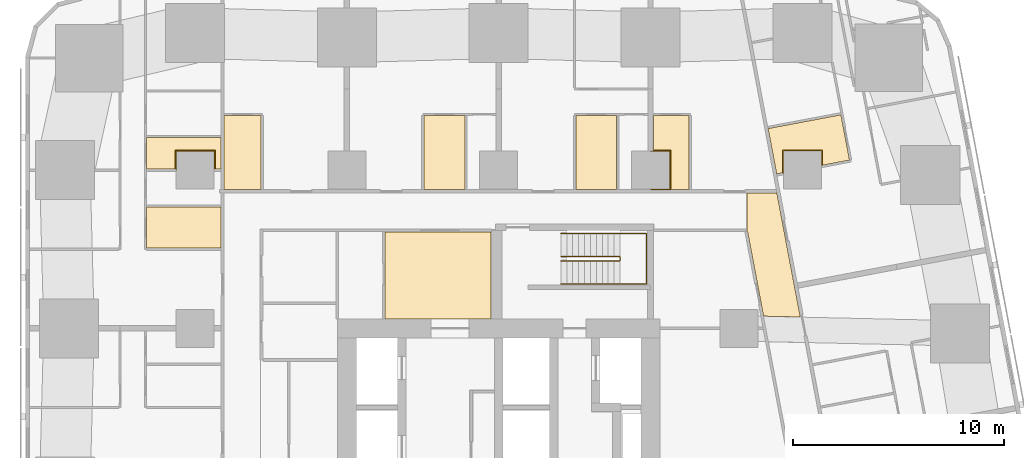
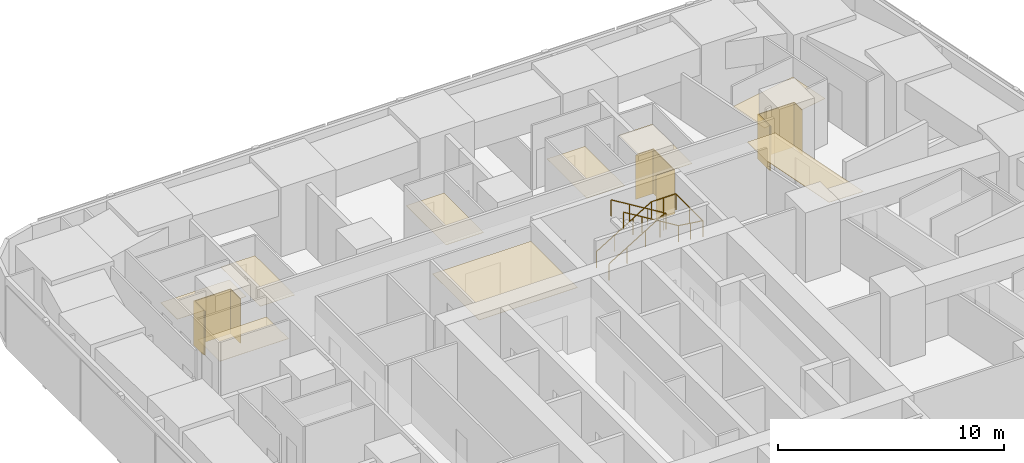
# One storey, part 15 of 15: 12 coverings, 2 railings.
"""IFC4 building model written with IfcOpenShell, lengths in metres."""

from ifc_helpers import new_model, si_unit, direction, frame, origin, origin_2d, place, context, subcontext, project, spatial, polyline, circle, outline, extrude, material, layer, layer_set, type_object, element, save


model = new_model("IFC4")

# Units and contexts
model_context = context("Model", 3, precision=1e-05, world=origin(), true_north=direction((0.0, 1.0)))
body_context = subcontext(model_context, "Body", "Model", "MODEL_VIEW")
ifc_project = project(units=[si_unit("LENGTHUNIT", "METRE"), si_unit("AREAUNIT", "SQUARE_METRE"), si_unit("VOLUMEUNIT", "CUBIC_METRE"), si_unit("PLANEANGLEUNIT", "RADIAN"), si_unit("MASSUNIT", "GRAM", prefix="KILO")], contexts=[model_context])

# Site, building, storey
site_placement = place(None, origin())
site = spatial("IfcSite", under=ifc_project, at=site_placement, CompositionType="ELEMENT")
building_placement = place(site_placement, origin())
building = spatial("IfcBuilding", under=site, at=building_placement, Name="Sheger Commons Tower", CompositionType="ELEMENT")
storey_placement = place(building_placement, frame((0.0, 0.0, 50.0)))
storey = spatial("IfcBuildingStorey", under=building, at=storey_placement, Name="L12", CompositionType="ELEMENT", Elevation=50.0)

# Railings
ifc_material_1 = material(Name="Steel handrail, black powder-coated", Category="steel")
railing_type = type_object("IfcRailingType", Name="HANDRAIL 900", PredefinedType="HANDRAIL", material=ifc_material_1)
railing_1_placement = place(storey_placement, frame((24.550048828125, 33.39990234375, 0.17041015625)))
element("IfcRailing", 1, at=railing_1_placement, inside=storey, type_object=railing_type, Name="Stair S2 handrail L12", PredefinedType="HANDRAIL", context=body_context, shape_type="SweptSolid", body=[
    extrude(circle(Radius=0.02392578125, at=origin_2d()), frame((0.0, 0.0, 0.8759765625), z_axis=(0.854169791009, 0.0, 0.51999420009), x_axis=(0.0, 1.0, 0.0)), (0.0, 0.0, 1.0), 3.278076171875),
    extrude(circle(Radius=0.02392578125, at=origin_2d()), frame((2.800048828125, 0.0, 2.58056640625), z_axis=(0.0, -0.761090297175, 0.648645943136), x_axis=(1.0, 0.0, 0.0)), (0.0, 0.0, 1.0), 0.2626953125),
    extrude(circle(Radius=0.02392578125, at=origin_2d()), frame((2.800048828125, -0.199951171875, 2.7509765625), z_axis=(-0.854169791009, 0.0, 0.51999420009), x_axis=(0.0, -1.0, 0.0)), (0.0, 0.0, 1.0), 3.278076171875),
    extrude(circle(Radius=0.02099609375, at=origin_2d()), origin(), (0.0, 0.0, 1.0), 0.851806640625),
    extrude(circle(Radius=0.02099609375, at=origin_2d()), frame((0.933349609375, 0.0, 0.568115234375)), (0.0, 0.0, 1.0), 0.851806640625),
    extrude(circle(Radius=0.02099609375, at=origin_2d()), frame((1.86669921875, 0.0, 1.136474609375)), (0.0, 0.0, 1.0), 0.851806640625),
    extrude(circle(Radius=0.02099609375, at=origin_2d()), frame((2.800048828125, 0.0, 1.70458984375)), (0.0, 0.0, 1.0), 0.851806640625),
    extrude(circle(Radius=0.02099609375, at=origin_2d()), frame((2.800048828125, -0.199951171875, 1.875)), (0.0, 0.0, 1.0), 0.851806640625),
    extrude(circle(Radius=0.02099609375, at=origin_2d()), frame((1.86669921875, -0.199951171875, 2.443115234375)), (0.0, 0.0, 1.0), 0.851806640625),
    extrude(circle(Radius=0.02099609375, at=origin_2d()), frame((0.933349609375, -0.199951171875, 3.011474609375)), (0.0, 0.0, 1.0), 0.851806640625),
    extrude(circle(Radius=0.02099609375, at=origin_2d()), frame((0.0, -0.199951171875, 3.57958984375)), (0.0, 0.0, 1.0), 0.851806640625),
])
railing_2_placement = place(storey_placement, frame((24.550048828125, 34.5, 0.17041015625)))
element("IfcRailing", 2, at=railing_2_placement, inside=storey, type_object=railing_type, Name="Stair S2 handrail L12", PredefinedType="HANDRAIL", context=body_context, shape_type="SweptSolid", body=[
    extrude(circle(Radius=0.02392578125, at=origin_2d()), frame((0.0, 0.0, 0.8759765625), z_axis=(0.854169791009, 0.0, 0.51999420009), x_axis=(0.0, 1.0, 0.0)), (0.0, 0.0, 1.0), 3.278076171875),
    extrude(circle(Radius=0.02392578125, at=origin_2d()), frame((2.800048828125, 0.0, 2.58056640625), z_axis=(1.0, 0.0, 0.0), x_axis=(0.0, 1.0, 0.0)), (0.0, 0.0, 1.0), 1.25),
    extrude(circle(Radius=0.02392578125, at=origin_2d()), frame((4.050048828125, 0.0, 2.58056640625), z_axis=(0.0, -1.0, 0.0), x_axis=(1.0, 0.0, 0.0)), (0.0, 0.0, 1.0), 2.39990234375),
    extrude(circle(Radius=0.02392578125, at=origin_2d()), frame((4.050048828125, -2.39990234375, 2.58056640625), z_axis=(-0.990834877927, 0.0, 0.135078661092), x_axis=(0.0, -1.0, 0.0)), (0.0, 0.0, 1.0), 1.261474609375),
    extrude(circle(Radius=0.02392578125, at=origin_2d()), frame((2.800048828125, -2.39990234375, 2.7509765625), z_axis=(-0.854169791009, 0.0, 0.51999420009), x_axis=(0.0, -1.0, 0.0)), (0.0, 0.0, 1.0), 3.278076171875),
    extrude(circle(Radius=0.02099609375, at=origin_2d()), origin(), (0.0, 0.0, 1.0), 0.851806640625),
    extrude(circle(Radius=0.02099609375, at=origin_2d()), frame((0.933349609375, 0.0, 0.568115234375)), (0.0, 0.0, 1.0), 0.851806640625),
    extrude(circle(Radius=0.02099609375, at=origin_2d()), frame((1.86669921875, 0.0, 1.136474609375)), (0.0, 0.0, 1.0), 0.851806640625),
    extrude(circle(Radius=0.02099609375, at=origin_2d()), frame((2.800048828125, 0.0, 1.70458984375)), (0.0, 0.0, 1.0), 0.851806640625),
    extrude(circle(Radius=0.02099609375, at=origin_2d()), frame((3.425048828125, 0.0, 1.70458984375)), (0.0, 0.0, 1.0), 0.851806640625),
    extrude(circle(Radius=0.02099609375, at=origin_2d()), frame((4.050048828125, 0.0, 1.70458984375)), (0.0, 0.0, 1.0), 0.851806640625),
    extrude(circle(Radius=0.02099609375, at=origin_2d()), frame((4.050048828125, -1.199951171875, 1.70458984375)), (0.0, 0.0, 1.0), 0.851806640625),
    extrude(circle(Radius=0.02099609375, at=origin_2d()), frame((4.050048828125, -2.39990234375, 1.70458984375)), (0.0, 0.0, 1.0), 0.851806640625),
    extrude(circle(Radius=0.02099609375, at=origin_2d()), frame((3.425048828125, -2.39990234375, 1.789794921875)), (0.0, 0.0, 1.0), 0.851806640625),
    extrude(circle(Radius=0.02099609375, at=origin_2d()), frame((2.800048828125, -2.39990234375, 1.875)), (0.0, 0.0, 1.0), 0.851806640625),
    extrude(circle(Radius=0.02099609375, at=origin_2d()), frame((1.86669921875, -2.39990234375, 2.443115234375)), (0.0, 0.0, 1.0), 0.851806640625),
    extrude(circle(Radius=0.02099609375, at=origin_2d()), frame((0.933349609375, -2.39990234375, 3.011474609375)), (0.0, 0.0, 1.0), 0.851806640625),
    extrude(circle(Radius=0.02099609375, at=origin_2d()), frame((0.0, -2.39990234375, 3.57958984375)), (0.0, 0.0, 1.0), 0.851806640625),
])

# Coverings
ifc_material_2 = material(Name="Moisture-resistant gypsum plasterboard 15 mm on a suspended galvanised steel grid", Category="steel")
ifc_layer_1 = layer(ifc_material_2, 0.014892578125)
ifc_layer_set_1 = layer_set([ifc_layer_1], Name="MOISTURE-RESISTANT CEILING 15")
covering_type_1 = type_object("IfcCoveringType", Name="MOISTURE-RESISTANT CEILING 15", PredefinedType="CEILING", material=ifc_layer_set_1)
covering_1_placement = place(storey_placement, frame((0.0, 0.0, 2.39990234375)))
element("IfcCovering", 3, at=covering_1_placement, inside=storey, type_object=covering_type_1, Name="L12-04.B1 ceiling", PredefinedType="CEILING", context=body_context, shape_type="SweptSolid", body=[
    extrude(outline(polyline([(4.905029296875, 33.804931640625), (8.419921875, 33.804931640625), (8.419921875, 35.7451171875), (4.905029296875, 35.7451171875), (4.905029296875, 33.804931640625)])), origin(), (0.0, 0.0, 1.0), 0.01513671875),
])
covering_2_placement = place(storey_placement, frame((0.0, 0.0, 2.39990234375)))
element("IfcCovering", 4, at=covering_2_placement, inside=storey, type_object=covering_type_1, Name="L12-04.B2 ceiling", PredefinedType="CEILING", context=body_context, shape_type="SweptSolid", body=[
    extrude(outline(polyline([(4.905029296875, 37.554931640625), (6.294921875, 37.554931640625), (6.294921875, 38.405029296875), (8.10498046875, 38.405029296875), (8.10498046875, 37.554931640625), (8.419921875, 37.554931640625), (8.419921875, 39.044921875), (4.905029296875, 39.044921875), (4.905029296875, 37.554931640625)])), origin(), (0.0, 0.0, 1.0), 0.01513671875),
])
covering_3_placement = place(storey_placement, frame((0.0, 0.0, 2.39990234375)))
element("IfcCovering", 5, at=covering_3_placement, inside=storey, type_object=covering_type_1, Name="L12-10.B1 ceiling", PredefinedType="CEILING", context=body_context, shape_type="SweptSolid", body=[
    extrude(outline(polyline([(34.781005859375, 37.325927734375), (35.0849609375, 37.383056640625), (35.093017578125, 37.340087890625), (35.094970703125, 37.340087890625), (35.094970703125, 38.405029296875), (36.905029296875, 38.405029296875), (36.905029296875, 37.72802734375), (38.23388671875, 37.97900390625), (37.827880859375, 40.126953125), (34.375, 39.47509765625), (34.781005859375, 37.325927734375)])), origin(), (0.0, 0.0, 1.0), 0.01513671875),
])
covering_4_placement = place(storey_placement, frame((0.0, 0.0, 2.39990234375)))
element("IfcCovering", 6, at=covering_4_placement, inside=storey, type_object=covering_type_1, Name="L12-14.B1 ceiling", PredefinedType="CEILING", context=body_context, shape_type="SweptSolid", body=[
    extrude(outline(polyline([(8.580078125, 36.580078125), (10.3349609375, 36.580078125), (10.3349609375, 40.094970703125), (8.580078125, 40.094970703125), (8.580078125, 36.580078125)])), origin(), (0.0, 0.0, 1.0), 0.01513671875),
])
covering_5_placement = place(storey_placement, frame((0.0, 0.0, 2.39990234375)))
element("IfcCovering", 7, at=covering_5_placement, inside=storey, type_object=covering_type_1, Name="L12-15.B1 ceiling", PredefinedType="CEILING", context=body_context, shape_type="SweptSolid", body=[
    extrude(outline(polyline([(18.054931640625, 36.580078125), (19.9951171875, 36.580078125), (19.9951171875, 40.094970703125), (18.054931640625, 40.094970703125), (18.054931640625, 36.580078125)])), origin(), (0.0, 0.0, 1.0), 0.01513671875),
])
covering_6_placement = place(storey_placement, frame((0.0, 0.0, 2.39990234375)))
element("IfcCovering", 8, at=covering_6_placement, inside=storey, type_object=covering_type_1, Name="L12-16.B1 ceiling", PredefinedType="CEILING", context=body_context, shape_type="SweptSolid", body=[
    extrude(outline(polyline([(25.2548828125, 36.580078125), (27.195068359375, 36.580078125), (27.195068359375, 40.094970703125), (25.2548828125, 40.094970703125), (25.2548828125, 36.580078125)])), origin(), (0.0, 0.0, 1.0), 0.01513671875),
])
covering_7_placement = place(storey_placement, frame((0.0, 0.0, 2.39990234375)))
element("IfcCovering", 9, at=covering_7_placement, inside=storey, type_object=covering_type_1, Name="L12-17.B1 ceiling", PredefinedType="CEILING", context=body_context, shape_type="SweptSolid", body=[
    extrude(outline(polyline([(28.800048828125, 36.580078125), (30.635009765625, 36.580078125), (30.635009765625, 40.094970703125), (28.929931640625, 40.094970703125), (28.929931640625, 38.405029296875), (29.705078125, 38.405029296875), (29.705078125, 36.594970703125), (28.800048828125, 36.594970703125), (28.800048828125, 36.580078125)])), origin(), (0.0, 0.0, 1.0), 0.01513671875),
])
ifc_material_3 = material(Name="Gypsum plasterboard 15 mm on a suspended steel grid", Category="steel")
ifc_layer_2 = layer(ifc_material_3, 0.014892578125)
ifc_layer_set_2 = layer_set([ifc_layer_2], Name="SUSPENDED CEILING 15")
covering_type_2 = type_object("IfcCoveringType", Name="SUSPENDED CEILING 15", PredefinedType="CEILING", material=ifc_layer_set_2)
covering_8_placement = place(storey_placement, frame((0.0, 0.0, 2.699951171875)))
element("IfcCovering", 10, at=covering_8_placement, inside=storey, type_object=covering_type_2, Name="L12-CO ceiling", PredefinedType="CEILING", context=body_context, shape_type="SweptSolid", body=[
    extrude(outline(polyline([(35.89990234375, 30.5400390625), (34.77392578125, 36.5), (34.77001953125, 36.5), (34.77001953125, 36.419921875), (33.365966796875, 36.419921875), (33.365966796875, 34.699951171875), (33.365966796875, 34.697998046875), (33.364013671875, 34.697998046875), (33.382080078125, 34.60205078125), (33.39892578125, 34.60498046875), (34.159912109375, 30.5791015625), (35.89990234375, 30.5400390625)])), origin(), (0.0, 0.0, 1.0), 0.01513671875),
])
covering_9_placement = place(storey_placement, frame((0.0, 0.0, 2.699951171875)))
element("IfcCovering", 11, at=covering_9_placement, inside=storey, type_object=covering_type_2, Name="L12-SVN1 ceiling", PredefinedType="CEILING", context=body_context, shape_type="SweptSolid", body=[
    extrude(outline(polyline([(16.217041015625, 30.455078125), (21.2451171875, 30.455078125), (21.2451171875, 34.58203125), (16.217041015625, 34.58203125), (16.217041015625, 30.455078125)])), origin(), (0.0, 0.0, 1.0), 0.01513671875),
])
ifc_material_4 = material(Name="Moisture-resistant gypsum board 12.5 mm on 25 mm treated timber battens, tanked and tiled", Category="wood")
ifc_layer_3 = layer(ifc_material_4, 0.050048828125)
ifc_layer_set_3 = layer_set([ifc_layer_3], Name="WET-ROOM COLUMN LINING")
covering_type_3 = type_object("IfcCoveringType", Name="WET-ROOM COLUMN LINING", PredefinedType="CLADDING", material=ifc_layer_set_3)
covering_10_placement = place(storey_placement, origin())
element("IfcCovering", 12, at=covering_10_placement, inside=storey, type_object=covering_type_3, Name="Shower room column lining C8 L12", PredefinedType="CLADDING", context=body_context, shape_type="SweptSolid", body=[
    extrude(outline(polyline([(8.14990234375, 38.449951171875), (8.14990234375, 37.550048828125), (8.10107421875, 37.550048828125), (8.10107421875, 37.5), (8.10009765625, 37.5), (8.10009765625, 38.39990234375), (6.300048828125, 38.39990234375), (6.300048828125, 37.5), (6.299072265625, 37.5), (6.299072265625, 37.550048828125), (6.25, 37.550048828125), (6.25, 38.449951171875), (8.14990234375, 38.449951171875)])), origin(), (0.0, 0.0, 1.0), 2.39990234375),
])
covering_11_placement = place(storey_placement, origin())
element("IfcCovering", 13, at=covering_11_placement, inside=storey, type_object=covering_type_3, Name="Shower room column lining C8 L12", PredefinedType="CLADDING", context=body_context, shape_type="SweptSolid", body=[
    extrude(outline(polyline([(29.75, 36.574951171875), (28.800048828125, 36.574951171875), (28.800048828125, 36.60009765625), (29.699951171875, 36.60009765625), (29.699951171875, 38.39990234375), (28.800048828125, 38.39990234375), (28.800048828125, 38.40087890625), (28.925048828125, 38.40087890625), (28.925048828125, 38.449951171875), (29.75, 38.449951171875), (29.75, 36.574951171875)])), origin(), (0.0, 0.0, 1.0), 2.39990234375),
])
covering_12_placement = place(storey_placement, origin())
element("IfcCovering", 14, at=covering_12_placement, inside=storey, type_object=covering_type_3, Name="Bathroom column lining C8 L12", PredefinedType="CLADDING", context=body_context, shape_type="SweptSolid", body=[
    extrude(outline(polyline([(36.949951171875, 38.449951171875), (36.949951171875, 37.73095703125), (36.90087890625, 37.721923828125), (36.909912109375, 37.673095703125), (36.89990234375, 37.6708984375), (36.89990234375, 38.39990234375), (35.10009765625, 38.39990234375), (35.10009765625, 37.330078125), (35.090087890625, 37.327880859375), (35.0810546875, 37.376953125), (35.050048828125, 37.37109375), (35.050048828125, 38.449951171875), (36.949951171875, 38.449951171875)])), origin(), (0.0, 0.0, 1.0), 2.39990234375),
])

save(model, "model.ifc")
